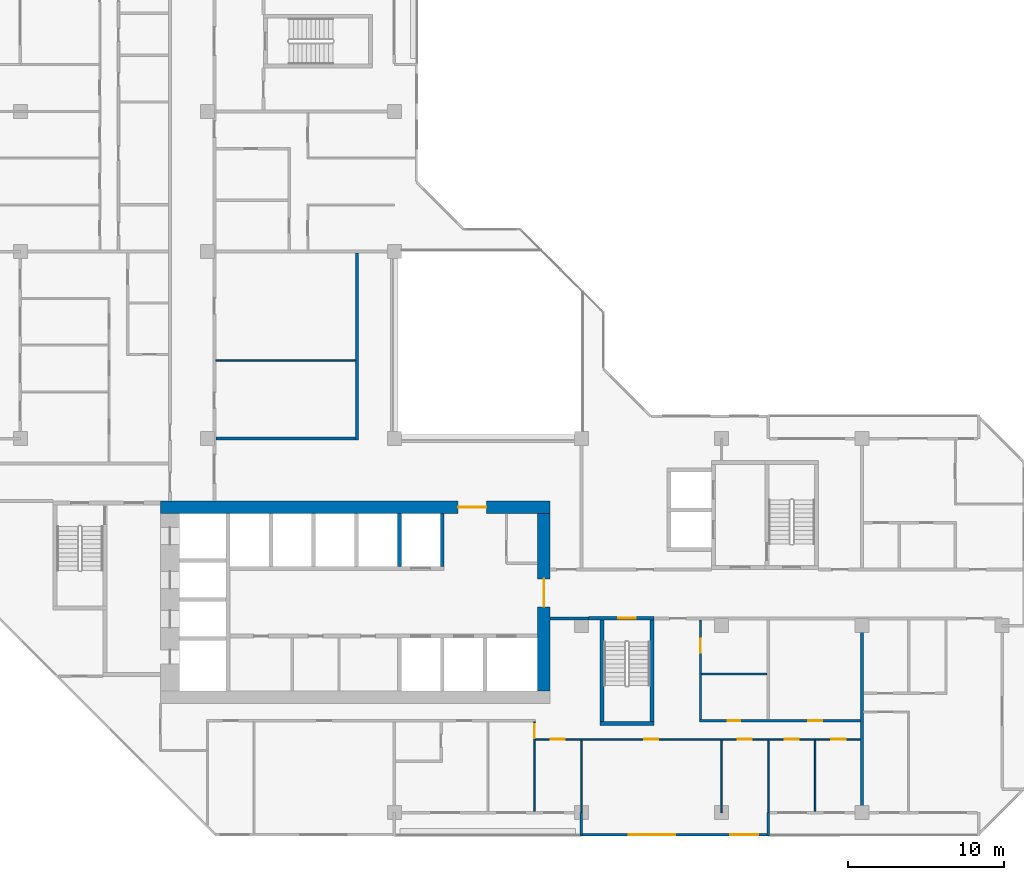
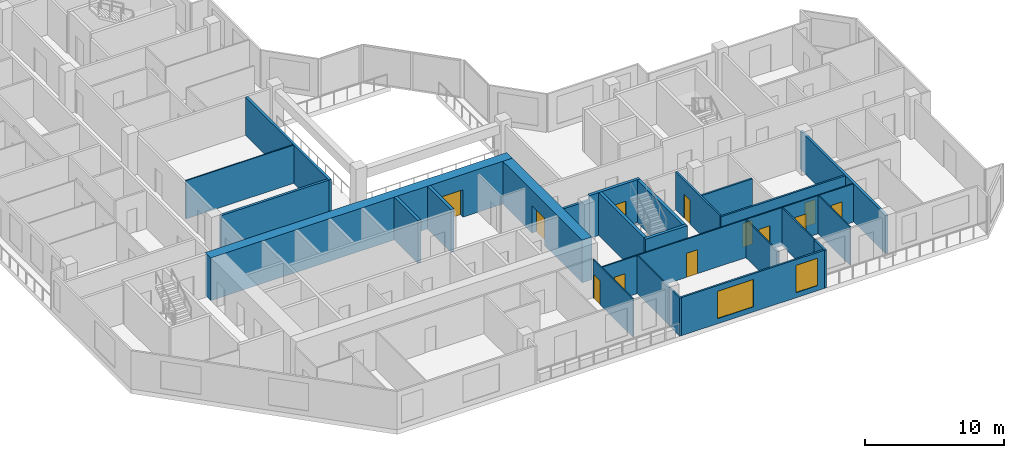
# One storey, part 6 of 14: 25 walls, 12 doors, 2 windows, 14 openings.
"""IFC4 building model written with IfcOpenShell, lengths in metres."""

from ifc_helpers import new_model, si_unit, direction, frame, frame_2d, origin, place, context, subcontext, project, spatial, rectangle, extrude, material, layer, layer_set, type_object, element, fill, save


model = new_model("IFC4")

# Units and contexts
model_context = context("Model", 3, precision=1e-05, world=origin(), true_north=direction((0.0, 1.0)))
body_context = subcontext(model_context, "Body", "Model", "MODEL_VIEW")
ifc_project = project(units=[si_unit("LENGTHUNIT", "METRE"), si_unit("AREAUNIT", "SQUARE_METRE"), si_unit("VOLUMEUNIT", "CUBIC_METRE"), si_unit("PLANEANGLEUNIT", "RADIAN"), si_unit("MASSUNIT", "GRAM", prefix="KILO")], contexts=[model_context])

# Site, building, storey
site_placement = place(None, origin())
site = spatial("IfcSite", under=ifc_project, at=site_placement, CompositionType="ELEMENT")
building_placement = place(site_placement, origin())
building = spatial("IfcBuilding", under=site, at=building_placement, Name="Chenar Terraces", CompositionType="ELEMENT")
storey_placement = place(building_placement, frame((0.0, 0.0, 161.14990234375)))
storey = spatial("IfcBuildingStorey", under=building, at=storey_placement, Name="L36", CompositionType="ELEMENT", Elevation=161.14990234375)

# Walls
ifc_material_1 = material(Name="Concrete C60/75", Category="concrete")
ifc_layer_1 = layer(ifc_material_1, 0.25)
ifc_layer_set_1 = layer_set([ifc_layer_1], Name="Concrete C60/75")
wall_type_1 = type_object("IfcWallType", Name="Core wall 250 Concrete C60/75", PredefinedType="SHEAR", material=ifc_layer_set_1)
for number, where, z_axis, x_axis, name in (
    (1, (24.324951171875, 15.800048828125, 0.0), (0.0, 0.0, 1.0), (0.0, 1.0, 0.0), "Core wall NS3 L36"),
    (2, (27.074951171875, 15.800048828125, 0.0), (0.0, 0.0, 1.0), (0.0, 1.0, 0.0), "Core wall NE L36"),
):
    element("IfcWall", number, at=place(storey_placement, frame(where, z_axis=z_axis, x_axis=x_axis)), inside=storey, type_object=wall_type_1, Name=name, PredefinedType="SHEAR", context=body_context, shape_type="SweptSolid", body=[
        extrude(rectangle(XDim=3.39990234375, YDim=0.25, at=frame_2d((1.699951171875, 0.0))), origin(), (0.0, 0.0, 1.0), 3.75),
    ])
wall_1_placement = place(storey_placement, frame((37.199951171875, 5.72509765625, 0.0), z_axis=(0.0, 0.0, 1.0), x_axis=(1.0, 0.0, 0.0)))
element("IfcWall", 3, at=wall_1_placement, inside=storey, type_object=wall_type_1, Name="Core wall ST2_S L36", PredefinedType="SHEAR", context=body_context, shape_type="SweptSolid", body=[
    extrude(rectangle(XDim=3.449951171875, YDim=0.25, at=frame_2d((1.72509765625, 0.0))), origin(), (0.0, 0.0, 1.0), 3.75),
])

# Wall, opening, door
wall_2_placement = place(storey_placement, frame((36.449951171875, 12.47509765625, 0.0), z_axis=(0.0, 0.0, 1.0), x_axis=(1.0, 0.0, 0.0)))
wall_2 = element("IfcWall", 4, at=wall_2_placement, inside=storey, type_object=wall_type_1, Name="Core wall ST2_N L36", PredefinedType="SHEAR", context=body_context, shape_type="SweptSolid", body=[
    extrude(rectangle(XDim=4.199951171875, YDim=0.25, at=frame_2d((2.10009765625, 0.0))), origin(), (0.0, 0.0, 1.0), 3.75),
])
opening_1_placement = place(wall_2_placement, frame((1.925048828125, 0.0, 0.0)))
opening_1 = element("IfcOpeningElement", 5, at=opening_1_placement, cuts=wall_2, Name="Opening DL36-C7", PredefinedType="OPENING", context=body_context, shape_type="SweptSolid", body=[
    extrude(rectangle(XDim=1.10009765625, YDim=2.199951171875, at=frame_2d((0.550048828125, 1.10009765625))), frame((0.0, 0.135009765625, 0.0), z_axis=(0.0, -1.0, 0.0), x_axis=(1.0, 0.0, 0.0)), (0.0, 0.0, 1.0), 0.27001953125),
])
ifc_material_2 = material(Name="Steel-framed fire-resisting door leaf", Category="steel")
door_type_1 = type_object("IfcDoorType", Name="Stair fire door FD60 1100 x 2200", OperationType="SINGLE_SWING_LEFT", PredefinedType="DOOR", material=ifc_material_2)
door_1_placement = place(opening_1_placement, frame((1.10009765625, 0.0, 0.0), z_axis=(0.0, 0.0, 1.0), x_axis=(-1.0, 0.0, 0.0)))
door_1 = element("IfcDoor", 6, at=door_1_placement, inside=storey, type_object=door_type_1, Name="Stair door DL36-C7", OperationType="SINGLE_SWING_RIGHT", OverallHeight=2.199951171875, OverallWidth=1.10009765625, PredefinedType="DOOR", context=body_context, shape_type="SweptSolid", body=[
    extrude(rectangle(XDim=1.10009765625, YDim=2.199951171875, at=frame_2d((0.550048828125, 1.10009765625))), frame((0.0, 0.02490234375, 0.0), z_axis=(0.0, -1.0, 0.0), x_axis=(1.0, 0.0, 0.0)), (0.0, 0.0, 1.0), 0.050048828125),
])
fill(opening_1, door_1)

# Walls
for number, where, z_axis, x_axis, name in (
    (7, (37.324951171875, 5.85009765625, 0.0), (0.0, 0.0, 1.0), (0.0, 1.0, 0.0), "Core wall ST2_W L36"),
    (8, (40.52490234375, 5.85009765625, 0.0), (0.0, 0.0, 1.0), (0.0, 1.0, 0.0), "Core wall ST2_E L36"),
):
    element("IfcWall", number, at=place(storey_placement, frame(where, z_axis=z_axis, x_axis=x_axis)), inside=storey, type_object=wall_type_1, Name=name, PredefinedType="SHEAR", context=body_context, shape_type="SweptSolid", body=[
        extrude(rectangle(XDim=6.5, YDim=0.25, at=frame_2d((3.25, 0.0))), origin(), (0.0, 0.0, 1.0), 3.75),
    ])

# Wall, opening, door
ifc_material_3 = material(Name="Concrete C60/75", Category="concrete")
ifc_layer_2 = layer(ifc_material_3, 0.800048828125)
ifc_layer_set_2 = layer_set([ifc_layer_2], Name="Concrete C60/75")
wall_type_2 = type_object("IfcWallType", Name="Core wall 800 Concrete C60/75", PredefinedType="SHEAR", material=ifc_layer_set_2)
wall_3_placement = place(storey_placement, frame((9.0, 19.60009765625, 0.0), z_axis=(0.0, 0.0, 1.0), x_axis=(1.0, 0.0, 0.0)))
wall_3 = element("IfcWall", 9, at=wall_3_placement, inside=storey, type_object=wall_type_2, Name="Core wall N L36", PredefinedType="SHEAR", context=body_context, shape_type="SweptSolid", body=[
    extrude(rectangle(XDim=25.0, YDim=0.800048828125, at=frame_2d((12.5, 0.0))), origin(), (0.0, 0.0, 1.0), 3.75),
])
opening_2_placement = place(wall_3_placement, frame((19.10009765625, 0.0, 0.0)))
opening_2 = element("IfcOpeningElement", 10, at=opening_2_placement, cuts=wall_3, Name="Opening DL36-C2", PredefinedType="OPENING", context=body_context, shape_type="SweptSolid", body=[
    extrude(rectangle(XDim=1.800048828125, YDim=2.39990234375, at=frame_2d((0.89990234375, 1.199951171875))), frame((0.0, 0.409912109375, 0.0), z_axis=(0.0, -1.0, 0.0), x_axis=(1.0, 0.0, 0.0)), (0.0, 0.0, 1.0), 0.820068359375),
])
ifc_material_4 = material(Name="Steel-framed fire-resisting door leaf", Category="steel")
door_type_2 = type_object("IfcDoorType", Name="Core entrance double fire door FD60 1800 x 2400", OperationType="DOUBLE_DOOR_SINGLE_SWING", PredefinedType="DOOR", material=ifc_material_4)
door_2_placement = place(opening_2_placement, frame((1.800048828125, 0.0, 0.0), z_axis=(0.0, 0.0, 1.0), x_axis=(-1.0, 0.0, 0.0)))
door_2 = element("IfcDoor", 11, at=door_2_placement, inside=storey, type_object=door_type_2, Name="Core door DL36-C2", OperationType="DOUBLE_DOOR_SINGLE_SWING", OverallHeight=2.39990234375, OverallWidth=1.800048828125, PredefinedType="DOOR", context=body_context, shape_type="SweptSolid", body=[
    extrude(rectangle(XDim=1.800048828125, YDim=2.39990234375, at=frame_2d((0.89990234375, 1.199951171875))), frame((0.0, 0.02490234375, 0.0), z_axis=(0.0, -1.0, 0.0), x_axis=(1.0, 0.0, 0.0)), (0.0, 0.0, 1.0), 0.050048828125),
])
fill(opening_2, door_2)

wall_4_placement = place(storey_placement, frame((33.60009765625, 7.800048828125, 0.0), z_axis=(0.0, 0.0, 1.0), x_axis=(0.0, 1.0, 0.0)))
wall_4 = element("IfcWall", 12, at=wall_4_placement, inside=storey, type_object=wall_type_2, Name="Core wall E L36", PredefinedType="SHEAR", context=body_context, shape_type="SweptSolid", body=[
    extrude(rectangle(XDim=11.39990234375, YDim=0.800048828125, at=frame_2d((5.699951171875, 0.0))), origin(), (0.0, 0.0, 1.0), 3.75),
])
opening_3_placement = place(wall_4_placement, frame((5.39990234375, 0.0, 0.0)))
opening_3 = element("IfcOpeningElement", 13, at=opening_3_placement, cuts=wall_4, Name="Opening DL36-C1", PredefinedType="OPENING", context=body_context, shape_type="SweptSolid", body=[
    extrude(rectangle(XDim=1.800048828125, YDim=2.39990234375, at=frame_2d((0.89990234375, 1.199951171875))), frame((0.0, 0.409912109375, 0.0), z_axis=(0.0, -1.0, 0.0), x_axis=(1.0, 0.0, 0.0)), (0.0, 0.0, 1.0), 0.820068359375),
])
door_3_placement = place(opening_3_placement, origin())
door_3 = element("IfcDoor", 14, at=door_3_placement, inside=storey, type_object=door_type_2, Name="Core door DL36-C1", OperationType="DOUBLE_DOOR_SINGLE_SWING", OverallHeight=2.39990234375, OverallWidth=1.800048828125, PredefinedType="DOOR", context=body_context, shape_type="SweptSolid", body=[
    extrude(rectangle(XDim=1.800048828125, YDim=2.39990234375, at=frame_2d((0.89990234375, 1.199951171875))), frame((0.0, 0.02490234375, 0.0), z_axis=(0.0, -1.0, 0.0), x_axis=(1.0, 0.0, 0.0)), (0.0, 0.0, 1.0), 0.050048828125),
])
fill(opening_3, door_3)

# Walls
ifc_material_5 = material(Name="Gypsum board on steel studs with fire boards", Category="steel")
ifc_layer_3 = layer(ifc_material_5, 0.199951171875)
ifc_layer_set_3 = layer_set([ifc_layer_3], Name="Gypsum board on steel studs with fire boards")
wall_type_3 = type_object("IfcWallType", Name="Corridor wall 200", PredefinedType="PARTITIONING", material=ifc_layer_set_3)
wall_5_placement = place(storey_placement, frame((12.550048828125, 24.0, 0.0), z_axis=(0.0, 0.0, 1.0), x_axis=(1.0, 0.0, 0.0)))
element("IfcWall", 15, at=wall_5_placement, inside=storey, type_object=wall_type_3, Name="Partition L36-032", PredefinedType="PARTITIONING", context=body_context, shape_type="SweptSolid", body=[
    extrude(rectangle(XDim=8.949951171875, YDim=0.199951171875, at=frame_2d((4.47509765625, 0.0))), origin(), (0.0, 0.0, 1.0), 3.35009765625),
])
wall_6_placement = place(storey_placement, frame((21.60009765625, 23.89990234375, 0.0), z_axis=(0.0, 0.0, 1.0), x_axis=(0.0, 1.0, 0.0)))
element("IfcWall", 16, at=wall_6_placement, inside=storey, type_object=wall_type_3, Name="Partition L36-052", PredefinedType="PARTITIONING", context=body_context, shape_type="SweptSolid", body=[
    extrude(rectangle(XDim=12.0, YDim=0.199951171875, at=frame_2d((6.0, 0.0))), origin(), (0.0, 0.0, 1.0), 3.35009765625),
])
wall_7_placement = place(storey_placement, frame((34.0, 12.449951171875, 0.0), z_axis=(0.0, 0.0, 1.0), x_axis=(1.0, 0.0, 0.0)))
element("IfcWall", 17, at=wall_7_placement, inside=storey, type_object=wall_type_3, Name="Partition L36-059", PredefinedType="PARTITIONING", context=body_context, shape_type="SweptSolid", body=[
    extrude(rectangle(XDim=2.450927734375, YDim=0.199951171875, at=frame_2d((1.2255859375, 0.0))), origin(), (0.0, 0.0, 1.0), 3.35009765625),
])

# Wall, openings, windows
ifc_material_6 = material(Name="Aluminium framed glazing", Category="aluminium")
ifc_layer_4 = layer(ifc_material_6, 0.14990234375)
ifc_layer_set_4 = layer_set([ifc_layer_4], Name="Aluminium framed glazing")
wall_type_4 = type_object("IfcWallType", Name="Glazed flush facade wall 150", PredefinedType="SOLIDWALL", material=ifc_layer_set_4)
wall_8_placement = place(storey_placement, frame((36.074951171875, -1.425048828125, 0.0), z_axis=(0.0, 0.0, 1.0), x_axis=(1.0, 0.0, 0.0)))
wall_8 = element("IfcWall", 18, at=wall_8_placement, inside=storey, type_object=wall_type_4, Name="Glazed flush facade wall", PredefinedType="SOLIDWALL", context=body_context, shape_type="SweptSolid", body=[
    extrude(rectangle(XDim=11.85009765625, YDim=0.14990234375, at=frame_2d((5.925048828125, 0.0))), origin(), (0.0, 0.0, 1.0), 3.35009765625),
])
opening_4_placement = place(wall_8_placement, frame((2.96240234375, 0.0, 0.449951171875)))
opening_4 = element("IfcOpeningElement", 19, at=opening_4_placement, cuts=wall_8, Name="Opening W300x240", PredefinedType="OPENING", context=body_context, shape_type="SweptSolid", body=[
    extrude(rectangle(XDim=3.0, YDim=2.39990234375, at=frame_2d((1.5, 1.199951171875))), frame((0.0, 0.0849609375, 0.0), z_axis=(0.0, -1.0, 0.0), x_axis=(1.0, 0.0, 0.0)), (0.0, 0.0, 1.0), 0.169921875),
])
opening_5_placement = place(wall_8_placement, frame((9.487548828125, 0.0, 0.449951171875)))
opening_5 = element("IfcOpeningElement", 20, at=opening_5_placement, cuts=wall_8, Name="Opening W180x240", PredefinedType="OPENING", context=body_context, shape_type="SweptSolid", body=[
    extrude(rectangle(XDim=1.800048828125, YDim=2.39990234375, at=frame_2d((0.89990234375, 1.199951171875))), frame((0.0, 0.0849609375, 0.0), z_axis=(0.0, -1.0, 0.0), x_axis=(1.0, 0.0, 0.0)), (0.0, 0.0, 1.0), 0.169921875),
])
ifc_material_7 = material(Name="Low emissivity double glazing, aluminium frame", Category="aluminium")
window_type_1 = type_object("IfcWindowType", Name="Fixed light 1800 x 2400", PartitioningType="SINGLE_PANEL", PredefinedType="WINDOW", material=ifc_material_7)
window_1_placement = place(opening_5_placement, origin())
window_1 = element("IfcWindow", 21, at=window_1_placement, inside=storey, type_object=window_type_1, Name="Window", OverallHeight=2.39990234375, OverallWidth=1.800048828125, PartitioningType="SINGLE_PANEL", PredefinedType="WINDOW", context=body_context, shape_type="SweptSolid", body=[
    extrude(rectangle(XDim=1.800048828125, YDim=2.39990234375, at=frame_2d((0.89990234375, 1.199951171875))), frame((0.0, 0.030029296875, 0.0), z_axis=(0.0, -1.0, 0.0), x_axis=(1.0, 0.0, 0.0)), (0.0, 0.0, 1.0), 0.06005859375),
])
fill(opening_5, window_1)
ifc_material_8 = material(Name="Low emissivity double glazing, aluminium frame", Category="aluminium")
window_type_2 = type_object("IfcWindowType", Name="Fixed light 3000 x 2400", PartitioningType="SINGLE_PANEL", PredefinedType="WINDOW", material=ifc_material_8)
window_2_placement = place(opening_4_placement, origin())
window_2 = element("IfcWindow", 22, at=window_2_placement, inside=storey, type_object=window_type_2, Name="Window", OverallHeight=2.39990234375, OverallWidth=3.0, PartitioningType="SINGLE_PANEL", PredefinedType="WINDOW", context=body_context, shape_type="SweptSolid", body=[
    extrude(rectangle(XDim=3.0, YDim=2.39990234375, at=frame_2d((1.5, 1.199951171875))), frame((0.0, 0.030029296875, 0.0), z_axis=(0.0, -1.0, 0.0), x_axis=(1.0, 0.0, 0.0)), (0.0, 0.0, 1.0), 0.06005859375),
])
fill(opening_4, window_2)

# Wall
ifc_material_9 = material(Name="Gypsum board on steel studs", Category="steel")
ifc_layer_5 = layer(ifc_material_9, 0.10009765625)
ifc_layer_set_5 = layer_set([ifc_layer_5], Name="Gypsum board on steel studs")
wall_type_5 = type_object("IfcWallType", Name="Gypsum partition 100", PredefinedType="PARTITIONING", material=ifc_layer_set_5)
wall_9_placement = place(storey_placement, frame((12.550048828125, 29.0, 0.0), z_axis=(0.0, 0.0, 1.0), x_axis=(1.0, 0.0, 0.0)))
element("IfcWall", 23, at=wall_9_placement, inside=storey, type_object=wall_type_5, Name="Partition L36-033", PredefinedType="PARTITIONING", context=body_context, shape_type="SweptSolid", body=[
    extrude(rectangle(XDim=8.949951171875, YDim=0.10009765625, at=frame_2d((4.47509765625, 0.0))), origin(), (0.0, 0.0, 1.0), 3.35009765625),
])

# Wall, opening, door
wall_10_placement = place(storey_placement, frame((33.0, 0.073974609375, 0.0), z_axis=(0.0, 0.0, 1.0), x_axis=(0.0, 1.0, 0.0)))
wall_10 = element("IfcWall", 24, at=wall_10_placement, inside=storey, type_object=wall_type_5, Name="Partition L36-057", PredefinedType="PARTITIONING", context=body_context, shape_type="SweptSolid", body=[
    extrude(rectangle(XDim=5.7509765625, YDim=0.10009765625, at=frame_2d((2.87548828125, 0.0))), origin(), (0.0, 0.0, 1.0), 3.35009765625),
])
opening_6_placement = place(wall_10_placement, frame((4.700927734375, 0.0, 0.0)))
opening_6 = element("IfcOpeningElement", 25, at=opening_6_placement, cuts=wall_10, Name="Opening DL36-43", PredefinedType="OPENING", context=body_context, shape_type="SweptSolid", body=[
    extrude(rectangle(XDim=0.89990234375, YDim=2.10009765625, at=frame_2d((0.449951171875, 1.050048828125))), frame((0.0, 0.06005859375, 0.0), z_axis=(0.0, -1.0, 0.0), x_axis=(1.0, 0.0, 0.0)), (0.0, 0.0, 1.0), 0.1201171875),
])
ifc_material_10 = material(Name="Veneered timber door leaf", Category="wood")
door_type_3 = type_object("IfcDoorType", Name="Door 900 x 2100", OperationType="SINGLE_SWING_LEFT", PredefinedType="DOOR", material=ifc_material_10)
door_4_placement = place(opening_6_placement, origin())
door_4 = element("IfcDoor", 26, at=door_4_placement, inside=storey, type_object=door_type_3, Name="Door DL36-43", OperationType="SINGLE_SWING_RIGHT", OverallHeight=2.10009765625, OverallWidth=0.89990234375, PredefinedType="DOOR", context=body_context, shape_type="SweptSolid", body=[
    extrude(rectangle(XDim=0.89990234375, YDim=2.10009765625, at=frame_2d((0.449951171875, 1.050048828125))), frame((0.0, 0.02490234375, 0.0), z_axis=(0.0, -1.0, 0.0), x_axis=(1.0, 0.0, 0.0)), (0.0, 0.0, 1.0), 0.050048828125),
])
fill(opening_6, door_4)

# Wall, openings, doors
wall_11_placement = place(storey_placement, frame((33.050048828125, 4.699951171875, 0.0), z_axis=(0.0, 0.0, 1.0), x_axis=(1.0, 0.0, 0.0)))
wall_11 = element("IfcWall", 27, at=wall_11_placement, inside=storey, type_object=wall_type_5, Name="Partition L36-058", PredefinedType="PARTITIONING", context=body_context, shape_type="SweptSolid", body=[
    extrude(rectangle(XDim=20.849853515625, YDim=0.10009765625, at=frame_2d((10.4248046875, 0.0))), origin(), (0.0, 0.0, 1.0), 3.35009765625),
])
opening_7_placement = place(wall_11_placement, frame((1.0, 0.0, 0.0)))
opening_7 = element("IfcOpeningElement", 28, at=opening_7_placement, cuts=wall_11, Name="Opening DL36-44", PredefinedType="OPENING", context=body_context, shape_type="SweptSolid", body=[
    extrude(rectangle(XDim=0.89990234375, YDim=2.10009765625, at=frame_2d((0.449951171875, 1.050048828125))), frame((0.0, 0.06005859375, 0.0), z_axis=(0.0, -1.0, 0.0), x_axis=(1.0, 0.0, 0.0)), (0.0, 0.0, 1.0), 0.1201171875),
])
opening_8_placement = place(wall_11_placement, frame((13.0, 0.0, 0.0)))
opening_8 = element("IfcOpeningElement", 29, at=opening_8_placement, cuts=wall_11, Name="Opening DL36-45", PredefinedType="OPENING", context=body_context, shape_type="SweptSolid", body=[
    extrude(rectangle(XDim=0.89990234375, YDim=2.10009765625, at=frame_2d((0.449951171875, 1.050048828125))), frame((0.0, 0.06005859375, 0.0), z_axis=(0.0, -1.0, 0.0), x_axis=(1.0, 0.0, 0.0)), (0.0, 0.0, 1.0), 0.1201171875),
])
opening_9_placement = place(wall_11_placement, frame((16.0, 0.0, 0.0)))
opening_9 = element("IfcOpeningElement", 30, at=opening_9_placement, cuts=wall_11, Name="Opening DL36-46", PredefinedType="OPENING", context=body_context, shape_type="SweptSolid", body=[
    extrude(rectangle(XDim=0.89990234375, YDim=2.10009765625, at=frame_2d((0.449951171875, 1.050048828125))), frame((0.0, 0.06005859375, 0.0), z_axis=(0.0, -1.0, 0.0), x_axis=(1.0, 0.0, 0.0)), (0.0, 0.0, 1.0), 0.1201171875),
])
opening_10_placement = place(wall_11_placement, frame((19.0, 0.0, 0.0)))
opening_10 = element("IfcOpeningElement", 31, at=opening_10_placement, cuts=wall_11, Name="Opening DL36-47", PredefinedType="OPENING", context=body_context, shape_type="SweptSolid", body=[
    extrude(rectangle(XDim=0.89990234375, YDim=2.10009765625, at=frame_2d((0.449951171875, 1.050048828125))), frame((0.0, 0.06005859375, 0.0), z_axis=(0.0, -1.0, 0.0), x_axis=(1.0, 0.0, 0.0)), (0.0, 0.0, 1.0), 0.1201171875),
])
opening_11_placement = place(wall_11_placement, frame((7.0, 0.0, 0.0)))
opening_11 = element("IfcOpeningElement", 32, at=opening_11_placement, cuts=wall_11, Name="Opening DL36-56", PredefinedType="OPENING", context=body_context, shape_type="SweptSolid", body=[
    extrude(rectangle(XDim=0.89990234375, YDim=2.10009765625, at=frame_2d((0.449951171875, 1.050048828125))), frame((0.0, 0.06005859375, 0.0), z_axis=(0.0, -1.0, 0.0), x_axis=(1.0, 0.0, 0.0)), (0.0, 0.0, 1.0), 0.1201171875),
])
door_5_placement = place(opening_7_placement, frame((0.89990234375, 0.0, 0.0), z_axis=(0.0, 0.0, 1.0), x_axis=(-1.0, 0.0, 0.0)))
door_5 = element("IfcDoor", 33, at=door_5_placement, inside=storey, type_object=door_type_3, Name="Door DL36-44", OperationType="SINGLE_SWING_LEFT", OverallHeight=2.10009765625, OverallWidth=0.89990234375, PredefinedType="DOOR", context=body_context, shape_type="SweptSolid", body=[
    extrude(rectangle(XDim=0.89990234375, YDim=2.10009765625, at=frame_2d((0.449951171875, 1.050048828125))), frame((0.0, 0.02490234375, 0.0), z_axis=(0.0, -1.0, 0.0), x_axis=(1.0, 0.0, 0.0)), (0.0, 0.0, 1.0), 0.050048828125),
])
fill(opening_7, door_5)
door_6_placement = place(opening_8_placement, frame((0.89990234375, 0.0, 0.0), z_axis=(0.0, 0.0, 1.0), x_axis=(-1.0, 0.0, 0.0)))
door_6 = element("IfcDoor", 34, at=door_6_placement, inside=storey, type_object=door_type_3, Name="Door DL36-45", OperationType="SINGLE_SWING_LEFT", OverallHeight=2.10009765625, OverallWidth=0.89990234375, PredefinedType="DOOR", context=body_context, shape_type="SweptSolid", body=[
    extrude(rectangle(XDim=0.89990234375, YDim=2.10009765625, at=frame_2d((0.449951171875, 1.050048828125))), frame((0.0, 0.02490234375, 0.0), z_axis=(0.0, -1.0, 0.0), x_axis=(1.0, 0.0, 0.0)), (0.0, 0.0, 1.0), 0.050048828125),
])
fill(opening_8, door_6)
door_7_placement = place(opening_9_placement, frame((0.89990234375, 0.0, 0.0), z_axis=(0.0, 0.0, 1.0), x_axis=(-1.0, 0.0, 0.0)))
door_7 = element("IfcDoor", 35, at=door_7_placement, inside=storey, type_object=door_type_3, Name="Door DL36-46", OperationType="SINGLE_SWING_LEFT", OverallHeight=2.10009765625, OverallWidth=0.89990234375, PredefinedType="DOOR", context=body_context, shape_type="SweptSolid", body=[
    extrude(rectangle(XDim=0.89990234375, YDim=2.10009765625, at=frame_2d((0.449951171875, 1.050048828125))), frame((0.0, 0.02490234375, 0.0), z_axis=(0.0, -1.0, 0.0), x_axis=(1.0, 0.0, 0.0)), (0.0, 0.0, 1.0), 0.050048828125),
])
fill(opening_9, door_7)
door_8_placement = place(opening_10_placement, frame((0.89990234375, 0.0, 0.0), z_axis=(0.0, 0.0, 1.0), x_axis=(-1.0, 0.0, 0.0)))
door_8 = element("IfcDoor", 36, at=door_8_placement, inside=storey, type_object=door_type_3, Name="Door DL36-47", OperationType="SINGLE_SWING_LEFT", OverallHeight=2.10009765625, OverallWidth=0.89990234375, PredefinedType="DOOR", context=body_context, shape_type="SweptSolid", body=[
    extrude(rectangle(XDim=0.89990234375, YDim=2.10009765625, at=frame_2d((0.449951171875, 1.050048828125))), frame((0.0, 0.02490234375, 0.0), z_axis=(0.0, -1.0, 0.0), x_axis=(1.0, 0.0, 0.0)), (0.0, 0.0, 1.0), 0.050048828125),
])
fill(opening_10, door_8)
door_9_placement = place(opening_11_placement, frame((0.89990234375, 0.0, 0.0), z_axis=(0.0, 0.0, 1.0), x_axis=(-1.0, 0.0, 0.0)))
door_9 = element("IfcDoor", 37, at=door_9_placement, inside=storey, type_object=door_type_3, Name="Door DL36-56", OperationType="SINGLE_SWING_LEFT", OverallHeight=2.10009765625, OverallWidth=0.89990234375, PredefinedType="DOOR", context=body_context, shape_type="SweptSolid", body=[
    extrude(rectangle(XDim=0.89990234375, YDim=2.10009765625, at=frame_2d((0.449951171875, 1.050048828125))), frame((0.0, 0.02490234375, 0.0), z_axis=(0.0, -1.0, 0.0), x_axis=(1.0, 0.0, 0.0)), (0.0, 0.0, 1.0), 0.050048828125),
])
fill(opening_11, door_9)

# Walls
for number, where, z_axis, x_axis, name in (
    (38, (36.0, 0.0, 0.0), (0.0, 0.0, 1.0), (0.0, 1.0, 0.0), "Partition L36-061"),
    (39, (45.0, 0.0, 0.0), (0.0, 0.0, 1.0), (0.0, 1.0, 0.0), "Partition L36-067"),
    (40, (48.0, 0.0, 0.0), (0.0, 0.0, 1.0), (0.0, 1.0, 0.0), "Partition L36-069"),
):
    element("IfcWall", number, at=place(storey_placement, frame(where, z_axis=z_axis, x_axis=x_axis)), inside=storey, type_object=wall_type_5, Name=name, PredefinedType="PARTITIONING", context=body_context, shape_type="SweptSolid", body=[
        extrude(rectangle(XDim=4.64990234375, YDim=0.10009765625, at=frame_2d((2.324951171875, 0.0))), origin(), (0.0, 0.0, 1.0), 3.35009765625),
    ])
wall_12_placement = place(storey_placement, frame((51.0, 0.073974609375, 0.0), z_axis=(0.0, 0.0, 1.0), x_axis=(0.0, 1.0, 0.0)))
element("IfcWall", 41, at=wall_12_placement, inside=storey, type_object=wall_type_5, Name="Partition L36-071", PredefinedType="PARTITIONING", context=body_context, shape_type="SweptSolid", body=[
    extrude(rectangle(XDim=4.575927734375, YDim=0.10009765625, at=frame_2d((2.2880859375, 0.0))), origin(), (0.0, 0.0, 1.0), 3.35009765625),
])
ifc_material_11 = material(Name="Terracotta cladding on insulated backing", Category="masonry")
ifc_layer_6 = layer(ifc_material_11, 0.14990234375)
ifc_layer_set_6 = layer_set([ifc_layer_6], Name="Terracotta cladding on insulated backing")
wall_type_6 = type_object("IfcWallType", Name="Loggia return wall 150", PredefinedType="SOLIDWALL", material=ifc_layer_set_6)
for number, where, z_axis, x_axis, name in (
    (42, (36.0, -1.5, 0.0), (0.0, 0.0, 1.0), (0.0, 1.0, 0.0), "Loggia return wall"),
    (43, (48.0, -1.5, 0.0), (0.0, 0.0, 1.0), (0.0, 1.0, 0.0), "Loggia return wall"),
):
    element("IfcWall", number, at=place(storey_placement, frame(where, z_axis=z_axis, x_axis=x_axis)), inside=storey, type_object=wall_type_6, Name=name, PredefinedType="SOLIDWALL", context=body_context, shape_type="SweptSolid", body=[
        extrude(rectangle(XDim=1.5, YDim=0.14990234375, at=frame_2d((0.75, 0.0))), origin(), (0.0, 0.0, 1.0), 3.35009765625),
    ])
ifc_material_12 = material(Name="Twin gypsum board on steel studs with mineral wool", Category="steel")
ifc_layer_7 = layer(ifc_material_12, 0.199951171875)
ifc_layer_set_7 = layer_set([ifc_layer_7], Name="Twin gypsum board on steel studs with mineral wool")
wall_type_7 = type_object("IfcWallType", Name="Unit demising wall 200", PredefinedType="PARTITIONING", material=ifc_layer_set_7)
wall_13_placement = place(storey_placement, frame((54.0, 0.073974609375, 0.0), z_axis=(0.0, 0.0, 1.0), x_axis=(0.0, 1.0, 0.0)))
element("IfcWall", 44, at=wall_13_placement, inside=storey, type_object=wall_type_7, Name="Partition L36-073", PredefinedType="PARTITIONING", context=body_context, shape_type="SweptSolid", body=[
    extrude(rectangle(XDim=12.276123046875, YDim=0.199951171875, at=frame_2d((6.13818359375, 0.0))), origin(), (0.0, 0.0, 1.0), 3.35009765625),
])

# Wall, openings, doors
ifc_material_13 = material(Name="Moisture-resistant gypsum board on steel studs", Category="steel")
ifc_layer_8 = layer(ifc_material_13, 0.14990234375)
ifc_layer_set_8 = layer_set([ifc_layer_8], Name="Moisture-resistant gypsum board on steel studs")
wall_type_8 = type_object("IfcWallType", Name="Wet-room partition 150", PredefinedType="PARTITIONING", material=ifc_layer_set_8)
wall_14_placement = place(storey_placement, frame((43.574951171875, 5.89990234375, 0.0), z_axis=(0.0, 0.0, 1.0), x_axis=(1.0, 0.0, 0.0)))
wall_14 = element("IfcWall", 45, at=wall_14_placement, inside=storey, type_object=wall_type_8, Name="Partition L36-064", PredefinedType="PARTITIONING", context=body_context, shape_type="SweptSolid", body=[
    extrude(rectangle(XDim=10.324951171875, YDim=0.14990234375, at=frame_2d((5.16259765625, 0.0))), origin(), (0.0, 0.0, 1.0), 3.35009765625),
])
opening_12_placement = place(wall_14_placement, frame((1.824951171875, 0.0, 0.0)))
opening_12 = element("IfcOpeningElement", 46, at=opening_12_placement, cuts=wall_14, Name="Opening DL36-41", PredefinedType="OPENING", context=body_context, shape_type="SweptSolid", body=[
    extrude(rectangle(XDim=0.800048828125, YDim=2.10009765625, at=frame_2d((0.39990234375, 1.050048828125))), frame((0.0, 0.0849609375, 0.0), z_axis=(0.0, -1.0, 0.0), x_axis=(1.0, 0.0, 0.0)), (0.0, 0.0, 1.0), 0.169921875),
])
opening_13_placement = place(wall_14_placement, frame((6.97509765625, 0.0, 0.0)))
opening_13 = element("IfcOpeningElement", 47, at=opening_13_placement, cuts=wall_14, Name="Opening DL36-51", PredefinedType="OPENING", context=body_context, shape_type="SweptSolid", body=[
    extrude(rectangle(XDim=0.89990234375, YDim=2.10009765625, at=frame_2d((0.449951171875, 1.050048828125))), frame((0.0, 0.0849609375, 0.0), z_axis=(0.0, -1.0, 0.0), x_axis=(1.0, 0.0, 0.0)), (0.0, 0.0, 1.0), 0.169921875),
])
ifc_material_14 = material(Name="Veneered timber door leaf", Category="wood")
door_type_4 = type_object("IfcDoorType", Name="Door 800 x 2100", OperationType="SINGLE_SWING_LEFT", PredefinedType="DOOR", material=ifc_material_14)
door_10_placement = place(opening_12_placement, origin())
door_10 = element("IfcDoor", 48, at=door_10_placement, inside=storey, type_object=door_type_4, Name="Door DL36-41", OperationType="SINGLE_SWING_RIGHT", OverallHeight=2.10009765625, OverallWidth=0.800048828125, PredefinedType="DOOR", context=body_context, shape_type="SweptSolid", body=[
    extrude(rectangle(XDim=0.800048828125, YDim=2.10009765625, at=frame_2d((0.39990234375, 1.050048828125))), frame((0.0, 0.02490234375, 0.0), z_axis=(0.0, -1.0, 0.0), x_axis=(1.0, 0.0, 0.0)), (0.0, 0.0, 1.0), 0.050048828125),
])
fill(opening_12, door_10)
door_11_placement = place(opening_13_placement, origin())
door_11 = element("IfcDoor", 49, at=door_11_placement, inside=storey, type_object=door_type_3, Name="Door DL36-51", OperationType="SINGLE_SWING_RIGHT", OverallHeight=2.10009765625, OverallWidth=0.89990234375, PredefinedType="DOOR", context=body_context, shape_type="SweptSolid", body=[
    extrude(rectangle(XDim=0.89990234375, YDim=2.10009765625, at=frame_2d((0.449951171875, 1.050048828125))), frame((0.0, 0.02490234375, 0.0), z_axis=(0.0, -1.0, 0.0), x_axis=(1.0, 0.0, 0.0)), (0.0, 0.0, 1.0), 0.050048828125),
])
fill(opening_13, door_11)

# Wall, opening, door
wall_15_placement = place(storey_placement, frame((43.64990234375, 5.97509765625, 0.0), z_axis=(0.0, 0.0, 1.0), x_axis=(0.0, 1.0, 0.0)))
wall_15 = element("IfcWall", 50, at=wall_15_placement, inside=storey, type_object=wall_type_8, Name="Partition L36-065", PredefinedType="PARTITIONING", context=body_context, shape_type="SweptSolid", body=[
    extrude(rectangle(XDim=6.375, YDim=0.14990234375, at=frame_2d((3.1875, 0.0))), origin(), (0.0, 0.0, 1.0), 3.35009765625),
])
opening_14_placement = place(wall_15_placement, frame((4.27490234375, 0.0, 0.0)))
opening_14 = element("IfcOpeningElement", 51, at=opening_14_placement, cuts=wall_15, Name="Opening DL36-54", PredefinedType="OPENING", context=body_context, shape_type="SweptSolid", body=[
    extrude(rectangle(XDim=0.89990234375, YDim=2.10009765625, at=frame_2d((0.449951171875, 1.050048828125))), frame((0.0, 0.0849609375, 0.0), z_axis=(0.0, -1.0, 0.0), x_axis=(1.0, 0.0, 0.0)), (0.0, 0.0, 1.0), 0.169921875),
])
door_12_placement = place(opening_14_placement, frame((0.89990234375, 0.0, 0.0), z_axis=(0.0, 0.0, 1.0), x_axis=(-1.0, 0.0, 0.0)))
door_12 = element("IfcDoor", 52, at=door_12_placement, inside=storey, type_object=door_type_3, Name="Door DL36-54", OperationType="SINGLE_SWING_LEFT", OverallHeight=2.10009765625, OverallWidth=0.89990234375, PredefinedType="DOOR", context=body_context, shape_type="SweptSolid", body=[
    extrude(rectangle(XDim=0.89990234375, YDim=2.10009765625, at=frame_2d((0.449951171875, 1.050048828125))), frame((0.0, 0.02490234375, 0.0), z_axis=(0.0, -1.0, 0.0), x_axis=(1.0, 0.0, 0.0)), (0.0, 0.0, 1.0), 0.050048828125),
])
fill(opening_14, door_12)

# Wall
wall_16_placement = place(storey_placement, frame((43.72509765625, 8.89990234375, 0.0), z_axis=(0.0, 0.0, 1.0), x_axis=(1.0, 0.0, 0.0)))
element("IfcWall", 53, at=wall_16_placement, inside=storey, type_object=wall_type_8, Name="Partition L36-066", PredefinedType="PARTITIONING", context=body_context, shape_type="SweptSolid", body=[
    extrude(rectangle(XDim=4.199951171875, YDim=0.14990234375, at=frame_2d((2.10009765625, 0.0))), origin(), (0.0, 0.0, 1.0), 3.35009765625),
])

save(model, "model.ifc")
